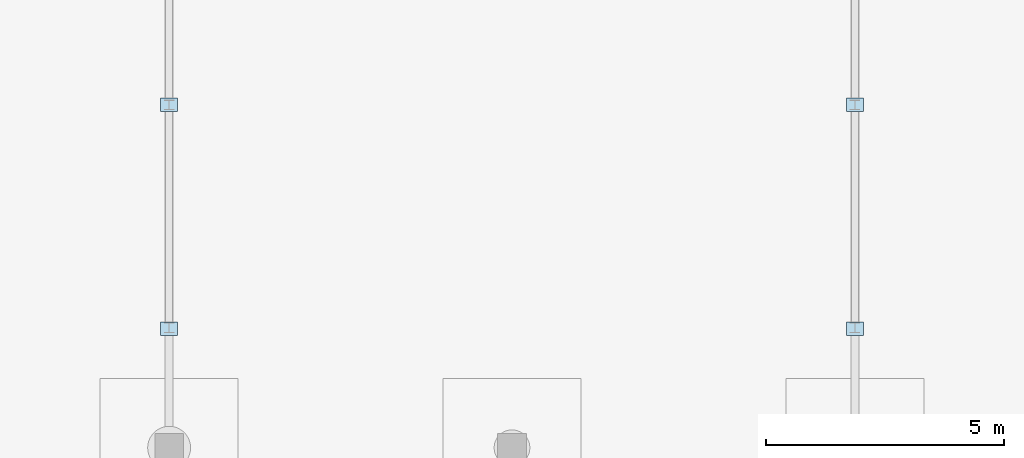
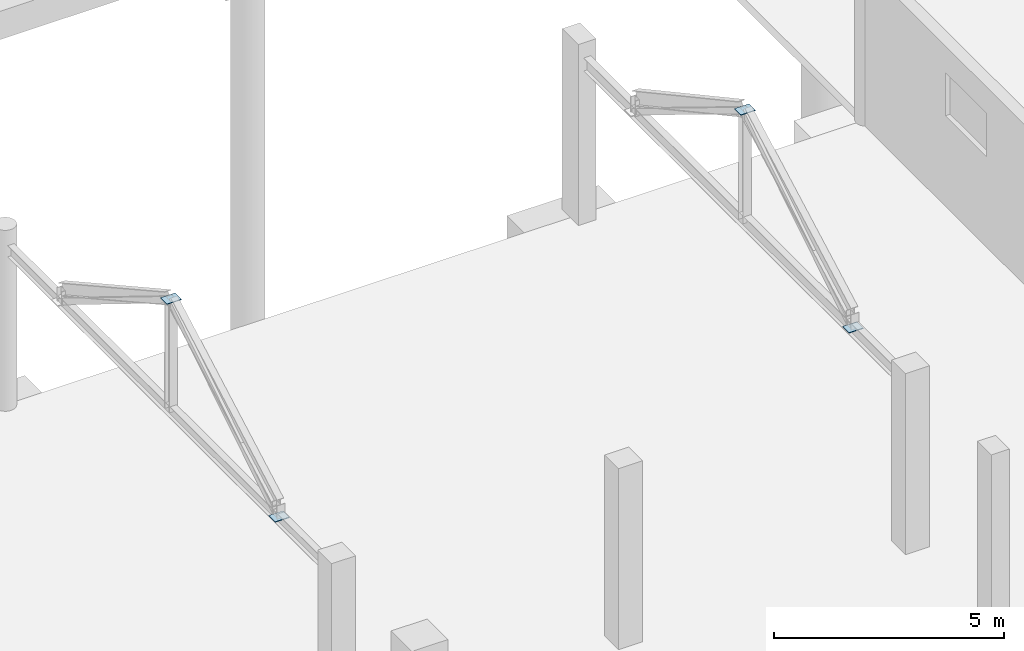
# One storey, part 229 of 285: 4 plates.
"""IFC4 building model written with IfcOpenShell, lengths in metres."""

from ifc_helpers import new_model, si_unit, direction, frame, origin, origin_2d, place, context, subcontext, project, spatial, rectangle, extrude, material, layer, layer_set, type_object, element, save


model = new_model("IFC4")

# Units and contexts
model_context = context("Model", 3, precision=1e-05, world=origin(), true_north=direction((0.0, 1.0)))
body_context = subcontext(model_context, "Body", "Model", "MODEL_VIEW")
ifc_project = project(units=[si_unit("LENGTHUNIT", "METRE"), si_unit("AREAUNIT", "SQUARE_METRE"), si_unit("VOLUMEUNIT", "CUBIC_METRE"), si_unit("PLANEANGLEUNIT", "RADIAN"), si_unit("MASSUNIT", "GRAM", prefix="KILO")], contexts=[model_context])

# Site, building, storey
site_placement = place(None, origin())
site = spatial("IfcSite", under=ifc_project, at=site_placement, CompositionType="ELEMENT")
building_placement = place(site_placement, origin())
building = spatial("IfcBuilding", under=site, at=building_placement, Name="Solanera Park Tramway Depot", CompositionType="ELEMENT")
storey_placement = place(building_placement, origin())
storey = spatial("IfcBuildingStorey", under=building, at=storey_placement, Name="L00", CompositionType="ELEMENT", Elevation=0.0)

# Plates
ifc_material = material(Name="Steel AS/NZS 3679.1 Grade 350", Category="steel")
ifc_layer = layer(ifc_material, 0.01806640625)
ifc_layer_set = layer_set([ifc_layer], Name="Steel AS/NZS 3679.1 Grade 350")
plate_type = type_object("IfcPlateType", Name="Hollow End Cap and Base Plate 360x280x18", PredefinedType="USERDEFINED", material=ifc_layer_set)
for number, where, z_axis, x_axis, name in (
    (1, (165.60009765625, 88.89990234375, 4.2373046875), (0.0, 0.0, 1.0), (1.0, 0.0, 0.0), "Hip Truss Web Sealed Cap Plate #1170"),
    (2, (165.60009765625, 93.60009765625, 7.166015625), (0.0, 0.0, 1.0), (1.0, 0.0, 0.0), "Hip Truss Web Sealed Cap Plate #1171"),
    (3, (180.0, 88.89990234375, 4.213134765625), (0.0, 0.0, 1.0), (1.0, 0.0, 0.0), "Hip Truss Web Sealed Cap Plate #1173"),
    (4, (180.0, 93.60009765625, 7.141845703125), (0.0, 0.0, 1.0), (1.0, 0.0, 0.0), "Hip Truss Web Sealed Cap Plate #1174"),
):
    element("IfcPlate", number, at=place(storey_placement, frame(where, z_axis=z_axis, x_axis=x_axis)), inside=storey, type_object=plate_type, Name=name, ObjectType="BASE PLATE", PredefinedType="USERDEFINED", context=body_context, shape_type="SweptSolid", body=[
        extrude(rectangle(XDim=0.360107421875, YDim=0.280029296875, at=origin_2d()), origin(), (0.0, 0.0, 1.0), 0.01806640625),
    ])

save(model, "model.ifc")
